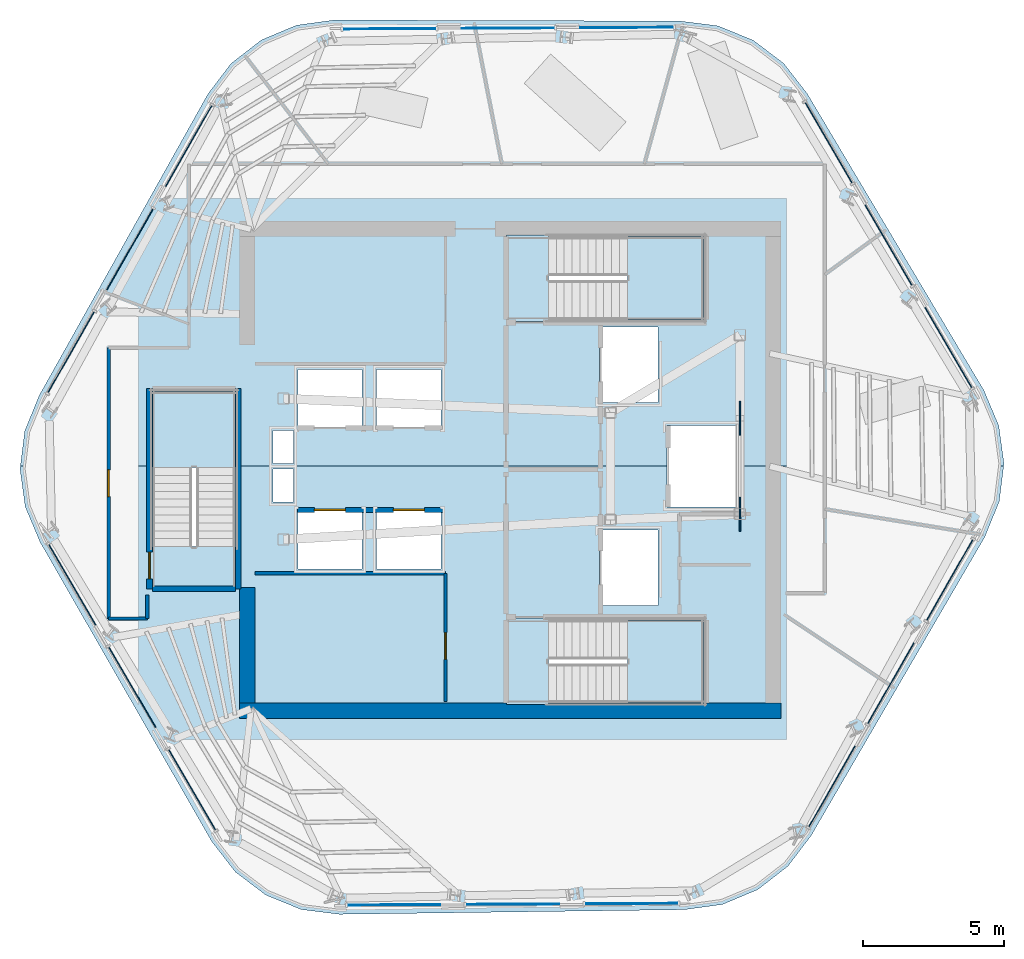
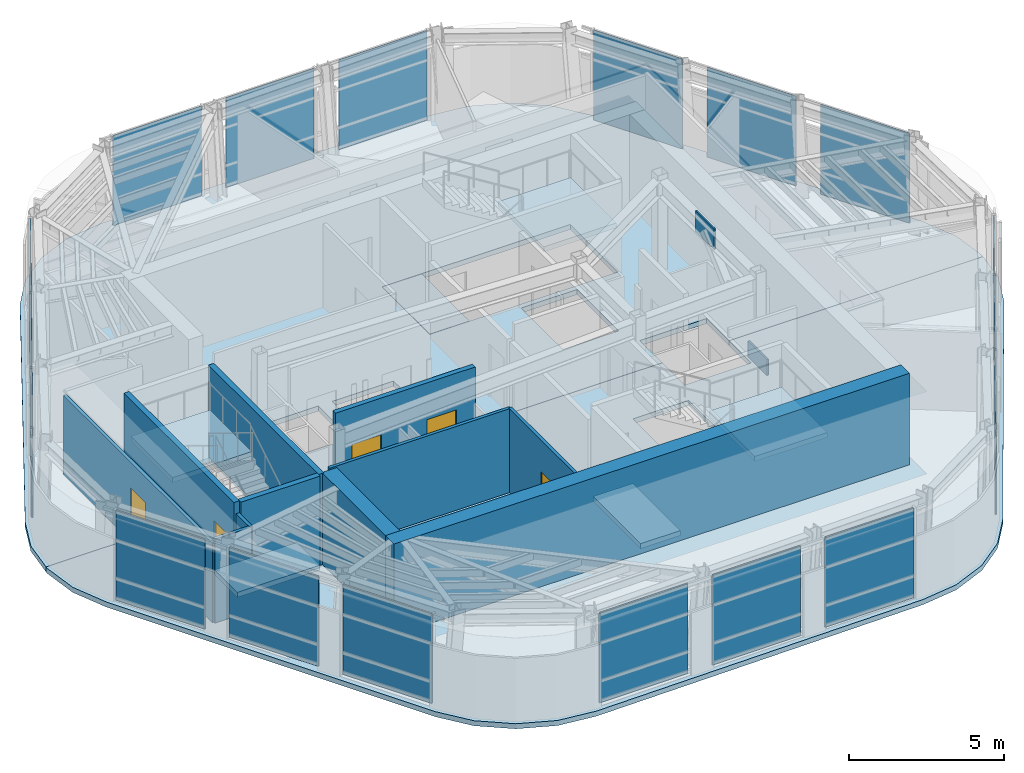
# One storey, part 6 of 13: 20 plates, 11 walls, 8 slabs, 5 doors, 5 openings, 9 elements without a shape of their own.
"""IFC4 building model written with IfcOpenShell, lengths in metres."""

import ifcopenshell
import ifcopenshell.guid

model = None  # the IFC model being written
_history = None  # IfcOwnerHistory: only IFC2X3 demands one
_inside = {}  # id of a spatial element -> (the spatial element, [elements in it])
_under = {}  # id of a project, library or spatial element -> (it, [spatial elements below it])
_declared = {}  # id of a project -> (the project, [libraries it declares])
_typed = {}  # id of a type object -> (the type object, [elements of that type])
_made_of = {}  # id of a material, layer set ... -> (it, [elements and type objects made of it])


def new_model(schema):
    """Start an empty IFC model of exactly this schema.

    Asked for "IFC4X3", IfcOpenShell would pick the latest addendum, in which some entities
    have other attributes; the version numbers below select the first issue.
    IFC2X3 requires an IfcOwnerHistory on every rooted entity: one is made here for all.
    """
    global model, _history
    if schema == "IFC4X3":
        model = ifcopenshell.file(schema_version=(4, 3, 0, 0))
    else:
        model = ifcopenshell.file(schema=schema)
    _inside.clear()
    _under.clear()
    _declared.clear()
    _typed.clear()
    _made_of.clear()
    _history = None
    if model.schema == "IFC2X3":
        org = make("IfcOrganization", Name="unknown")
        user = make(
            "IfcPersonAndOrganization",
            ThePerson=make("IfcPerson", FamilyName="unknown"),
            TheOrganization=org,
        )
        app = make(
            "IfcApplication",
            ApplicationDeveloper=org,
            Version="unknown",
            ApplicationFullName="unknown",
            ApplicationIdentifier="unknown",
        )
        _history = make(
            "IfcOwnerHistory",
            OwningUser=user,
            OwningApplication=app,
            ChangeAction="ADDED",
            CreationDate=0,
        )
    return model


def make(cls, **values):
    """One entity of the class cls with the attributes given. An attribute that is None is left unset."""
    return model.create_entity(
        cls, **{name: value for name, value in values.items() if value is not None}
    )


def rooted(cls, **values):
    """An entity with a GlobalId (a new one), such as an element, a storey or a relation."""
    return make(cls, GlobalId=ifcopenshell.guid.new(), OwnerHistory=_history, **values)


def si_unit(unit_type, name, prefix=None):
    """IfcSIUnit, for example si_unit("LENGTHUNIT", "METRE", prefix="MILLI")."""
    return make("IfcSIUnit", UnitType=unit_type, Prefix=prefix, Name=name)


def assignment(units):
    """IfcUnitAssignment: the units of a project."""
    return None if units is None else make("IfcUnitAssignment", Units=units)


def point(xyz):
    """IfcCartesianPoint."""
    return None if xyz is None else make("IfcCartesianPoint", Coordinates=xyz)


def direction(xyz):
    """IfcDirection."""
    return None if xyz is None else make("IfcDirection", DirectionRatios=xyz)


def frame(location, z_axis=None, x_axis=None):
    """IfcAxis2Placement3D, a coordinate frame: its origin and axes. An axis left out is left unset."""
    return make(
        "IfcAxis2Placement3D",
        Location=point(location),
        Axis=direction(z_axis),
        RefDirection=direction(x_axis),
    )


def frame_2d(location, x_axis=None):
    """IfcAxis2Placement2D, a coordinate frame in the plane: its origin and x axis."""
    return make(
        "IfcAxis2Placement2D", Location=point(location), RefDirection=direction(x_axis)
    )


def origin():
    """The frame at (0, 0, 0) with its axes left unset."""
    return frame((0.0, 0.0, 0.0))


def origin_2d():
    """The frame at (0, 0) in the plane with its x axis left unset."""
    return frame_2d((0.0, 0.0))


def place(relative_to, where):
    """IfcLocalPlacement: puts the frame where relative to a parent placement (None: the world)."""
    return make(
        "IfcLocalPlacement", PlacementRelTo=relative_to, RelativePlacement=where
    )


def context(
    kind, dimensions, precision=None, world=None, true_north=None, identifier=None
):
    """IfcGeometricRepresentationContext, for example the 3D "Model" context."""
    return make(
        "IfcGeometricRepresentationContext",
        ContextIdentifier=identifier,
        ContextType=kind,
        CoordinateSpaceDimension=dimensions,
        Precision=precision,
        WorldCoordinateSystem=world,
        TrueNorth=true_north,
    )


def subcontext(parent, identifier, kind, view, scale=None):
    """IfcGeometricRepresentationSubContext, for example "Body" below "Model"."""
    return make(
        "IfcGeometricRepresentationSubContext",
        ContextIdentifier=identifier,
        ContextType=kind,
        ParentContext=parent,
        TargetScale=scale,
        TargetView=view,
    )


def project(units=None, contexts=None):
    """IfcProject with its units and contexts."""
    return rooted(
        "IfcProject",
        Name="project",
        RepresentationContexts=contexts,
        UnitsInContext=assignment(units),
    )


def spatial(cls, under=None, at=None, **own):
    """A site, building, storey or space (cls), placed at a placement, below another one or the project."""
    s = rooted(cls, ObjectPlacement=at, **own)
    if under is not None:
        _under.setdefault(under.id(), (under, []))[1].append(s)
    return s


def polyline(points):
    """IfcPolyline through the points."""
    return make("IfcPolyline", Points=[point(p) for p in points])


def profile(cls, at=None, kind="AREA", **sizes):
    """A parametric profile (cls). Its sizes go by their IFC names, for example OverallWidth=200.0."""
    return make(cls, ProfileType=kind, Position=at, **sizes)


def rectangle(**sizes):
    """IfcRectangleProfileDef."""
    return profile("IfcRectangleProfileDef", **sizes)


def outline(outer, holes=None, kind="AREA"):
    """IfcArbitraryClosedProfileDef: a profile drawn as a closed curve; with holes, ...WithVoids."""
    if holes is None:
        return make("IfcArbitraryClosedProfileDef", ProfileType=kind, OuterCurve=outer)
    return make(
        "IfcArbitraryProfileDefWithVoids",
        ProfileType=kind,
        OuterCurve=outer,
        InnerCurves=holes,
    )


def extrude(swept, where, along, depth):
    """IfcExtrudedAreaSolid: the profile swept, set in the frame where, extruded along a direction by depth."""
    return make(
        "IfcExtrudedAreaSolid",
        SweptArea=swept,
        Position=where,
        ExtrudedDirection=direction(along),
        Depth=depth,
    )


def shape(context_of_items, identifier, shape_type, items):
    """IfcShapeRepresentation: the items that make up one representation, for example the "Body"."""
    return make(
        "IfcShapeRepresentation",
        ContextOfItems=context_of_items,
        RepresentationIdentifier=identifier,
        RepresentationType=shape_type,
        Items=items,
    )


def material(Name=None, Category=None):
    """IfcMaterial."""
    return make("IfcMaterial", Name=Name, Category=Category)


def layer(
    of_material, thickness, ventilated=None, Name=None, Category=None, Priority=None
):
    """IfcMaterialLayer: one layer of a wall or slab, of a material (None: an air gap)."""
    return make(
        "IfcMaterialLayer",
        Material=of_material,
        LayerThickness=thickness,
        IsVentilated=ventilated,
        Name=Name,
        Category=Category,
        Priority=Priority,
    )


def layer_set(layers, Name=None):
    """IfcMaterialLayerSet."""
    return make("IfcMaterialLayerSet", MaterialLayers=layers, LayerSetName=Name)


def made_of(thing, what):
    """Note that an element or type object is made of a material, layer set ...; save() writes the relation."""
    if what is not None:
        _made_of.setdefault(what.id(), (what, []))[1].append(thing)
    return thing


def type_object(cls, material=None, **own):
    """A type object (cls), such as IfcWallType, which elements share."""
    return made_of(rooted(cls, **own), material)


def element(
    cls,
    number,
    at=None,
    inside=None,
    cuts=None,
    type_object=None,
    material=None,
    context=None,
    identifier="Body",
    shape_type=None,
    held_by="IfcProductDefinitionShape",
    body=None,
    shapes=None,
    **own,
):
    """One element of the class cls, such as IfcWall. Its Tag is "e" and its number.

    at: its placement. inside: the storey or other place that contains it. cuts: it is an
    opening in that element (IfcRelVoidsElement). A single representation is given by context,
    identifier, shape_type and body (its items); several are given by shapes. held_by: the class
    of the entity that holds the representations. save() writes the other relations.
    """
    e = rooted(cls, Tag="e%d" % number, ObjectPlacement=at, **own)
    if body is not None:
        shapes = [shape(context, identifier, shape_type, body)]
    if shapes is not None:
        e.Representation = make(held_by, Representations=shapes)
    if inside is not None:
        _inside.setdefault(inside.id(), (inside, []))[1].append(e)
    if cuts is not None:
        rooted(
            "IfcRelVoidsElement", RelatingBuildingElement=cuts, RelatedOpeningElement=e
        )
    if type_object is not None:
        _typed.setdefault(type_object.id(), (type_object, []))[1].append(e)
    return made_of(e, material)


def fill(opening, filler):
    """IfcRelFillsElement: the door or window that sits in an opening."""
    return rooted(
        "IfcRelFillsElement",
        RelatingOpeningElement=opening,
        RelatedBuildingElement=filler,
    )


def aggregate(whole, parts):
    """IfcRelAggregates: a whole, such as a stair, and the parts it consists of."""
    return rooted("IfcRelAggregates", RelatingObject=whole, RelatedObjects=parts)


def save(model, path):
    """Write the relations noted so far, then the file.

    IfcRelAggregates (storeys below a building ...), IfcRelContainedInSpatialStructure (elements
    in a storey), IfcRelDefinesByType, IfcRelAssociatesMaterial and IfcRelDeclares: one each for
    every whole, place, type object, material and project.
    """
    for whole, parts in _under.values():
        aggregate(whole, parts)
    for where, things in _inside.values():
        rooted(
            "IfcRelContainedInSpatialStructure",
            RelatedElements=things,
            RelatingStructure=where,
        )
    for kind, things in _typed.values():
        rooted("IfcRelDefinesByType", RelatedObjects=things, RelatingType=kind)
    for what, things in _made_of.values():
        rooted("IfcRelAssociatesMaterial", RelatedObjects=things, RelatingMaterial=what)
    for by, libraries in _declared.values():
        rooted("IfcRelDeclares", RelatingContext=by, RelatedDefinitions=libraries)
    model.write(path)


model = new_model("IFC4")

# Units and contexts
model_context = context("Model", 3, precision=1e-05, world=origin(), true_north=direction((0.0, 1.0)))
body_context = subcontext(model_context, "Body", "Model", "MODEL_VIEW")
ifc_project = project(units=[si_unit("LENGTHUNIT", "METRE"), si_unit("AREAUNIT", "SQUARE_METRE"), si_unit("VOLUMEUNIT", "CUBIC_METRE"), si_unit("PLANEANGLEUNIT", "RADIAN"), si_unit("MASSUNIT", "GRAM", prefix="KILO")], contexts=[model_context])

# Site, building, storey
site_placement = place(None, origin())
site = spatial("IfcSite", under=ifc_project, at=site_placement, CompositionType="ELEMENT")
building_placement = place(site_placement, origin())
building = spatial("IfcBuilding", under=site, at=building_placement, Name="Valkerne Bourse Tower", CompositionType="ELEMENT")
storey_placement = place(building_placement, frame((0.0, 0.0, 285.0)))
storey = spatial("IfcBuildingStorey", under=building, at=storey_placement, Name="L72", CompositionType="ELEMENT", Elevation=285.0)

# Curtain wall, plates
ifc_material_1 = material(Name="Aluminium AA 6063-T6", Category="aluminium")
ifc_layer_1 = layer(ifc_material_1, 0.2451171875)
ifc_layer_set_1 = layer_set([ifc_layer_1], Name="Aluminium AA 6063-T6")
curtain_wall_type = type_object("IfcCurtainWallType", Name="CW-05", PredefinedType="NOTDEFINED", material=ifc_layer_set_1)
curtain_wall_1_placement = place(storey_placement, origin())
curtain_wall_1 = element("IfcCurtainWall", 1, at=curtain_wall_1_placement, inside=storey, type_object=curtain_wall_type, Name="L72 Hexagonal Stick Curtain Wall Face 1", PredefinedType="NOTDEFINED")
ifc_material_2 = material(Name="Glass IGU Low-E Double Glazed", Category="glass")
ifc_layer_2 = layer(ifc_material_2, 0.031982421875)
ifc_layer_set_2 = layer_set([ifc_layer_2], Name="Glass IGU Low-E Double Glazed")
plate_type_1 = type_object("IfcPlateType", Name="CW-PNL-IGU-32", PredefinedType="CURTAIN_PANEL", material=ifc_layer_set_2)
plate_1_placement = place(storey_placement, frame((50.930419921875, 42.560546875, 0.030029296875), z_axis=(0.0, 0.0, 1.0), x_axis=(-0.999986358869, -0.005223224655, 0.0)))
plate_1 = element("IfcPlate", 2, at=plate_1_placement, type_object=plate_type_1, Name="CW-L72-F1 Curtain Panel 00", PredefinedType="CURTAIN_PANEL", context=body_context, shape_type="SweptSolid", body=[
    extrude(rectangle(XDim=3.2919921875, YDim=0.031982421875, at=origin_2d()), origin(), (0.0, 0.0, 1.0), 3.5400390625),
])
plate_2_placement = place(storey_placement, frame((46.718505859375, 42.53857421875, 0.030029296875), z_axis=(0.0, 0.0, 1.0), x_axis=(-0.999986235233, -0.005246841359, 0.0)))
plate_2 = element("IfcPlate", 3, at=plate_2_placement, type_object=plate_type_1, Name="CW-L72-F1 Curtain Panel 01", PredefinedType="CURTAIN_PANEL", context=body_context, shape_type="SweptSolid", body=[
    extrude(rectangle(XDim=3.2919921875, YDim=0.031982421875, at=origin_2d()), origin(), (0.0, 0.0, 1.0), 3.5400390625),
])
plate_3_placement = place(storey_placement, frame((42.506591796875, 42.5166015625, 0.030029296875), z_axis=(0.0, 0.0, 1.0), x_axis=(-0.999986358869, -0.005223224655, 0.0)))
plate_3 = element("IfcPlate", 4, at=plate_3_placement, type_object=plate_type_1, Name="CW-L72-F1 Curtain Panel 02", PredefinedType="CURTAIN_PANEL", context=body_context, shape_type="SweptSolid", body=[
    extrude(rectangle(XDim=3.2919921875, YDim=0.031982421875, at=origin_2d()), origin(), (0.0, 0.0, 1.0), 3.5400390625),
])
aggregate(curtain_wall_1, [plate_1, plate_2, plate_3])

curtain_wall_2_placement = place(storey_placement, origin())
curtain_wall_2 = element("IfcCurtainWall", 5, at=curtain_wall_2_placement, inside=storey, type_object=curtain_wall_type, Name="L72 Hexagonal Stick Curtain Wall Face 2", PredefinedType="NOTDEFINED")
plate_4_placement = place(storey_placement, frame((35.389404296875, 38.357421875, 0.030029296875), z_axis=(0.0, 0.0, 1.0), x_axis=(-0.495461241573, -0.86863004674, 0.0)))
plate_4 = element("IfcPlate", 6, at=plate_4_placement, type_object=plate_type_1, Name="CW-L72-F2 Curtain Panel 00", PredefinedType="CURTAIN_PANEL", context=body_context, shape_type="SweptSolid", body=[
    extrude(rectangle(XDim=3.2919921875, YDim=0.031982421875, at=origin_2d()), origin(), (0.0, 0.0, 1.0), 3.5400390625),
])
plate_5_placement = place(storey_placement, frame((33.302490234375, 34.69873046875, 0.030029296875), z_axis=(0.0, 0.0, 1.0), x_axis=(-0.495443327875, -0.868640264358, 0.0)))
plate_5 = element("IfcPlate", 7, at=plate_5_placement, type_object=plate_type_1, Name="CW-L72-F2 Curtain Panel 01", PredefinedType="CURTAIN_PANEL", context=body_context, shape_type="SweptSolid", body=[
    extrude(rectangle(XDim=3.2919921875, YDim=0.031982421875, at=origin_2d()), origin(), (0.0, 0.0, 1.0), 3.5400390625),
])
plate_6_placement = place(storey_placement, frame((31.2158203125, 31.0400390625, 0.030029296875), z_axis=(0.0, 0.0, 1.0), x_axis=(-0.495461241573, -0.86863004674, 0.0)))
plate_6 = element("IfcPlate", 8, at=plate_6_placement, type_object=plate_type_1, Name="CW-L72-F2 Curtain Panel 02", PredefinedType="CURTAIN_PANEL", context=body_context, shape_type="SweptSolid", body=[
    extrude(rectangle(XDim=3.2919921875, YDim=0.031982421875, at=origin_2d()), origin(), (0.0, 0.0, 1.0), 3.5400390625),
])
aggregate(curtain_wall_2, [plate_4, plate_5, plate_6])

curtain_wall_3_placement = place(storey_placement, origin())
curtain_wall_3 = element("IfcCurtainWall", 9, at=curtain_wall_3_placement, inside=storey, type_object=curtain_wall_type, Name="L72 Hexagonal Stick Curtain Wall Face 3", PredefinedType="NOTDEFINED")
plate_7_placement = place(storey_placement, frame((31.2587890625, 22.796875, 0.030029296875), z_axis=(0.0, 0.0, 1.0), x_axis=(0.504517454009, -0.863401493281, 0.0)))
plate_7 = element("IfcPlate", 10, at=plate_7_placement, type_object=plate_type_1, Name="CW-L72-F3 Curtain Panel 00", PredefinedType="CURTAIN_PANEL", context=body_context, shape_type="SweptSolid", body=[
    extrude(rectangle(XDim=3.2919921875, YDim=0.031982421875, at=origin_2d()), origin(), (0.0, 0.0, 1.0), 3.5400390625),
])
plate_8_placement = place(storey_placement, frame((33.3837890625, 19.16015625, 0.030029296875), z_axis=(0.0, 0.0, 1.0), x_axis=(0.504535152451, -0.863391151183, 0.0)))
plate_8 = element("IfcPlate", 11, at=plate_8_placement, type_object=plate_type_1, Name="CW-L72-F3 Curtain Panel 01", PredefinedType="CURTAIN_PANEL", context=body_context, shape_type="SweptSolid", body=[
    extrude(rectangle(XDim=3.2919921875, YDim=0.031982421875, at=origin_2d()), origin(), (0.0, 0.0, 1.0), 3.5400390625),
])
plate_9_placement = place(storey_placement, frame((35.509033203125, 15.523681640625, 0.030029296875), z_axis=(0.0, 0.0, 1.0), x_axis=(0.504535152451, -0.863391151183, 0.0)))
plate_9 = element("IfcPlate", 12, at=plate_9_placement, type_object=plate_type_1, Name="CW-L72-F3 Curtain Panel 02", PredefinedType="CURTAIN_PANEL", context=body_context, shape_type="SweptSolid", body=[
    extrude(rectangle(XDim=3.2919921875, YDim=0.031982421875, at=origin_2d()), origin(), (0.0, 0.0, 1.0), 3.5400390625),
])
aggregate(curtain_wall_3, [plate_7, plate_8, plate_9])

curtain_wall_4_placement = place(storey_placement, origin())
curtain_wall_4 = element("IfcCurtainWall", 13, at=curtain_wall_4_placement, inside=storey, type_object=curtain_wall_type, Name="L72 Hexagonal Stick Curtain Wall Face 4", PredefinedType="NOTDEFINED")
plate_10_placement = place(storey_placement, frame((42.66943359375, 11.439453125, 0.030029296875), z_axis=(0.0, 0.0, 1.0), x_axis=(0.999986358869, 0.005223224655, 0.0)))
plate_10 = element("IfcPlate", 14, at=plate_10_placement, type_object=plate_type_1, Name="CW-L72-F4 Curtain Panel 00", PredefinedType="CURTAIN_PANEL", context=body_context, shape_type="SweptSolid", body=[
    extrude(rectangle(XDim=3.2919921875, YDim=0.031982421875, at=origin_2d()), origin(), (0.0, 0.0, 1.0), 3.5400390625),
])
plate_11_placement = place(storey_placement, frame((46.88134765625, 11.46142578125, 0.030029296875), z_axis=(0.0, 0.0, 1.0), x_axis=(0.999986235233, 0.005246841359, 0.0)))
plate_11 = element("IfcPlate", 15, at=plate_11_placement, type_object=plate_type_1, Name="CW-L72-F4 Curtain Panel 01", PredefinedType="CURTAIN_PANEL", context=body_context, shape_type="SweptSolid", body=[
    extrude(rectangle(XDim=3.2919921875, YDim=0.031982421875, at=origin_2d()), origin(), (0.0, 0.0, 1.0), 3.5400390625),
])
plate_12_placement = place(storey_placement, frame((51.093505859375, 11.4833984375, 0.030029296875), z_axis=(0.0, 0.0, 1.0), x_axis=(0.999986358869, 0.005223224655, 0.0)))
plate_12 = element("IfcPlate", 16, at=plate_12_placement, type_object=plate_type_1, Name="CW-L72-F4 Curtain Panel 02", PredefinedType="CURTAIN_PANEL", context=body_context, shape_type="SweptSolid", body=[
    extrude(rectangle(XDim=3.2919921875, YDim=0.031982421875, at=origin_2d()), origin(), (0.0, 0.0, 1.0), 3.5400390625),
])
aggregate(curtain_wall_4, [plate_10, plate_11, plate_12])

curtain_wall_5_placement = place(storey_placement, origin())
curtain_wall_5 = element("IfcCurtainWall", 17, at=curtain_wall_5_placement, inside=storey, type_object=curtain_wall_type, Name="L72 Hexagonal Stick Curtain Wall Face 5", PredefinedType="NOTDEFINED")
plate_13_placement = place(storey_placement, frame((58.21044921875, 15.642578125, 0.030029296875), z_axis=(0.0, 0.0, 1.0), x_axis=(0.495461241573, 0.86863004674, 0.0)))
plate_13 = element("IfcPlate", 18, at=plate_13_placement, type_object=plate_type_1, Name="CW-L72-F5 Curtain Panel 00", PredefinedType="CURTAIN_PANEL", context=body_context, shape_type="SweptSolid", body=[
    extrude(rectangle(XDim=3.2919921875, YDim=0.031982421875, at=origin_2d()), origin(), (0.0, 0.0, 1.0), 3.5400390625),
])
plate_14_placement = place(storey_placement, frame((60.29736328125, 19.30126953125, 0.030029296875), z_axis=(0.0, 0.0, 1.0), x_axis=(0.495443327875, 0.868640264358, 0.0)))
plate_14 = element("IfcPlate", 19, at=plate_14_placement, type_object=plate_type_1, Name="CW-L72-F5 Curtain Panel 01", PredefinedType="CURTAIN_PANEL", context=body_context, shape_type="SweptSolid", body=[
    extrude(rectangle(XDim=3.2919921875, YDim=0.031982421875, at=origin_2d()), origin(), (0.0, 0.0, 1.0), 3.5400390625),
])
plate_15_placement = place(storey_placement, frame((62.38427734375, 22.9599609375, 0.030029296875), z_axis=(0.0, 0.0, 1.0), x_axis=(0.495461241573, 0.86863004674, 0.0)))
plate_15 = element("IfcPlate", 20, at=plate_15_placement, type_object=plate_type_1, Name="CW-L72-F5 Curtain Panel 02", PredefinedType="CURTAIN_PANEL", context=body_context, shape_type="SweptSolid", body=[
    extrude(rectangle(XDim=3.2919921875, YDim=0.031982421875, at=origin_2d()), origin(), (0.0, 0.0, 1.0), 3.5400390625),
])
aggregate(curtain_wall_5, [plate_13, plate_14, plate_15])

curtain_wall_6_placement = place(storey_placement, origin())
curtain_wall_6 = element("IfcCurtainWall", 21, at=curtain_wall_6_placement, inside=storey, type_object=curtain_wall_type, Name="L72 Hexagonal Stick Curtain Wall Face 6", PredefinedType="NOTDEFINED")
plate_16_placement = place(storey_placement, frame((62.34130859375, 31.203125, 0.030029296875), z_axis=(0.0, 0.0, 1.0), x_axis=(-0.504517454009, 0.863401493281, 0.0)))
plate_16 = element("IfcPlate", 22, at=plate_16_placement, type_object=plate_type_1, Name="CW-L72-F6 Curtain Panel 00", PredefinedType="CURTAIN_PANEL", context=body_context, shape_type="SweptSolid", body=[
    extrude(rectangle(XDim=3.2919921875, YDim=0.031982421875, at=origin_2d()), origin(), (0.0, 0.0, 1.0), 3.5400390625),
])
plate_17_placement = place(storey_placement, frame((60.216064453125, 34.839599609375, 0.030029296875), z_axis=(0.0, 0.0, 1.0), x_axis=(-0.504535152451, 0.863391151183, 0.0)))
plate_17 = element("IfcPlate", 23, at=plate_17_placement, type_object=plate_type_1, Name="CW-L72-F6 Curtain Panel 01", PredefinedType="CURTAIN_PANEL", context=body_context, shape_type="SweptSolid", body=[
    extrude(rectangle(XDim=3.2919921875, YDim=0.031982421875, at=origin_2d()), origin(), (0.0, 0.0, 1.0), 3.5400390625),
])
plate_18_placement = place(storey_placement, frame((58.091064453125, 38.476318359375, 0.030029296875), z_axis=(0.0, 0.0, 1.0), x_axis=(-0.504535152451, 0.863391151183, 0.0)))
plate_18 = element("IfcPlate", 24, at=plate_18_placement, type_object=plate_type_1, Name="CW-L72-F6 Curtain Panel 02", PredefinedType="CURTAIN_PANEL", context=body_context, shape_type="SweptSolid", body=[
    extrude(rectangle(XDim=3.2919921875, YDim=0.031982421875, at=origin_2d()), origin(), (0.0, 0.0, 1.0), 3.5400390625),
])
aggregate(curtain_wall_6, [plate_16, plate_17, plate_18])

# Plates
ifc_material_3 = material(Name="Steel ASTM A572 Grade 50", Category="steel")
ifc_layer_3 = layer(ifc_material_3, 0.06005859375)
ifc_layer_set_3 = layer_set([ifc_layer_3], Name="Steel ASTM A572 Grade 50")
plate_type_2 = type_object("IfcPlateType", Name="PLT-GUS-60", PredefinedType="SHEET", material=ifc_layer_set_3)
for number, where, z_axis, x_axis, name in (
    (25, (54.949951171875, 25.300048828125, -0.18017578125), (0.0, 0.0, 1.0), (0.0, 1.0, 0.0), "L72 Brace Node Gusset Plate PLT-GUS-END-L72-460"),
    (26, (54.949951171875, 28.699951171875, 2.89404296875), (0.0, 0.0, 1.0), (0.0, 1.0, 0.0), "L72 Brace Node Gusset Plate PLT-GUS-END-L72-461"),
):
    element("IfcPlate", number, at=place(storey_placement, frame(where, z_axis=z_axis, x_axis=x_axis)), inside=storey, type_object=plate_type_2, Name=name, PredefinedType="SHEET", context=body_context, shape_type="SweptSolid", body=[
        extrude(rectangle(XDim=1.199951171875, YDim=0.06005859375, at=origin_2d()), origin(), (0.0, 0.0, 1.0), 0.800048828125),
    ])

# Slabs
ifc_material_4 = material(Name="Concrete C40/50", Category="concrete")
ifc_layer_4 = layer(ifc_material_4, 0.25)
ifc_layer_set_4 = layer_set([ifc_layer_4], Name="Concrete C40/50")
slab_type_1 = type_object("IfcSlabType", Name="SLB-RMP-LND-250", PredefinedType="LANDING", material=ifc_layer_set_4)
slab_1_placement = place(storey_placement, frame((0.0, 0.0, -0.199951171875)))
element("IfcSlab", 27, at=slab_1_placement, inside=storey, type_object=slab_type_1, Name="L72 ST-1 Floor Landing Slab", PredefinedType="LANDING", context=body_context, shape_type="SweptSolid", body=[
    extrude(outline(polyline([(46.669921875, 18.5400390625), (48.14990234375, 18.5400390625), (48.14990234375, 21.610107421875), (46.669921875, 21.610107421875), (46.669921875, 18.5400390625)])), origin(), (0.0, 0.0, 1.0), 0.199951171875),
])
slab_2_placement = place(storey_placement, frame((0.0, 0.0, -0.199951171875)))
element("IfcSlab", 28, at=slab_2_placement, inside=storey, type_object=slab_type_1, Name="L72 ST-2 Floor Landing Slab", PredefinedType="LANDING", context=body_context, shape_type="SweptSolid", body=[
    extrude(outline(polyline([(46.669921875, 32.139892578125), (48.14990234375, 32.139892578125), (48.14990234375, 35.2099609375), (46.669921875, 35.2099609375), (46.669921875, 32.139892578125)])), origin(), (0.0, 0.0, 1.0), 0.199951171875),
])
slab_3_placement = place(storey_placement, frame((0.0, 0.0, -0.199951171875)))
element("IfcSlab", 29, at=slab_3_placement, inside=storey, type_object=slab_type_1, Name="L72 ST-3 Floor Landing Slab", PredefinedType="LANDING", context=body_context, shape_type="SweptSolid", body=[
    extrude(outline(polyline([(37.110107421875, 22.669921875), (37.110107421875, 24.14990234375), (34.0400390625, 24.14990234375), (34.0400390625, 22.669921875), (37.110107421875, 22.669921875)])), origin(), (0.0, 0.0, 1.0), 0.199951171875),
])

# Stair, slab
stair_type = type_object("IfcStairType", Name="ST-CORE-1400", PredefinedType="HALF_TURN_STAIR", material=ifc_material_4)
stair_1_placement = place(storey_placement, origin())
stair_1 = element("IfcStair", 30, at=stair_1_placement, inside=storey, type_object=stair_type, Name="L72 ST-1", PredefinedType="HALF_TURN_STAIR")
ifc_layer_5 = layer(ifc_material_4, 0.179931640625)
ifc_layer_set_5 = layer_set([ifc_layer_5], Name="Concrete C40/50")
slab_type_2 = type_object("IfcSlabType", Name="SLB-ST-LND-180", PredefinedType="LANDING", material=ifc_layer_set_5)
slab_4_placement = place(storey_placement, frame((0.0, 0.0, 1.699951171875)))
slab_4 = element("IfcSlab", 31, at=slab_4_placement, type_object=slab_type_2, Name="ST-1 landing 1", PredefinedType="LANDING", context=body_context, shape_type="SweptSolid", body=[
    extrude(outline(polyline([(50.949951171875, 18.60009765625), (53.64990234375, 18.60009765625), (53.64990234375, 21.550048828125), (50.949951171875, 21.550048828125), (50.949951171875, 18.60009765625)])), origin(), (0.0, 0.0, 1.0), 0.199951171875),
])
aggregate(stair_1, [slab_4])

stair_2_placement = place(storey_placement, origin())
stair_2 = element("IfcStair", 32, at=stair_2_placement, inside=storey, type_object=stair_type, Name="L72 ST-2", PredefinedType="HALF_TURN_STAIR")
slab_5_placement = place(storey_placement, frame((0.0, 0.0, 1.699951171875)))
slab_5 = element("IfcSlab", 33, at=slab_5_placement, type_object=slab_type_2, Name="ST-2 landing 1", PredefinedType="LANDING", context=body_context, shape_type="SweptSolid", body=[
    extrude(outline(polyline([(50.949951171875, 32.199951171875), (53.64990234375, 32.199951171875), (53.64990234375, 35.14990234375), (50.949951171875, 35.14990234375), (50.949951171875, 32.199951171875)])), origin(), (0.0, 0.0, 1.0), 0.199951171875),
])
aggregate(stair_2, [slab_5])

stair_3_placement = place(storey_placement, origin())
stair_3 = element("IfcStair", 34, at=stair_3_placement, inside=storey, type_object=stair_type, Name="L72 ST-3", PredefinedType="HALF_TURN_STAIR")
slab_6_placement = place(storey_placement, frame((0.0, 0.0, 1.699951171875)))
slab_6 = element("IfcSlab", 35, at=slab_6_placement, type_object=slab_type_2, Name="ST-3 landing 1", PredefinedType="LANDING", context=body_context, shape_type="SweptSolid", body=[
    extrude(outline(polyline([(37.050048828125, 26.949951171875), (37.050048828125, 29.64990234375), (34.10009765625, 29.64990234375), (34.10009765625, 26.949951171875), (37.050048828125, 26.949951171875)])), origin(), (0.0, 0.0, 1.0), 0.199951171875),
])
aggregate(stair_3, [slab_6])

# Slabs
ifc_layer_6 = layer(ifc_material_4, 0.199951171875)
ifc_layer_set_6 = layer_set([ifc_layer_6], Name="Concrete C40/50")
slab_type_3 = type_object("IfcSlabType", Name="SLB-TOW-200", PredefinedType="FLOOR", material=ifc_layer_set_6)
slab_7_placement = place(storey_placement, frame((0.0, 0.0, -0.199951171875)))
element("IfcSlab", 36, at=slab_7_placement, inside=storey, type_object=slab_type_3, Name="L72 Hexagonal Composite Floor Slab S", PredefinedType="FLOOR", context=body_context, shape_type="SweptSolid", body=[
    extrude(outline(polyline([(64.141845703125, 25.744873046875), (63.62890625, 24.488037109375), (57.469970703125, 13.89404296875), (56.649169921875, 12.812744140625), (55.576416015625, 11.980712890625), (54.3251953125, 11.45458984375), (52.980224609375, 11.2705078125), (40.72705078125, 11.105224609375), (39.380126953125, 11.275390625), (38.123291015625, 11.788330078125), (37.0419921875, 12.60888671875), (36.210205078125, 13.681640625), (30.114990234375, 24.3125), (29.5888671875, 25.56396484375), (29.40478515625, 26.908935546875), (29.416259765625, 27.0), (34.034912109375, 27.0), (34.034912109375, 22.6650390625), (37.114990234375, 22.6650390625), (37.114990234375, 27.0), (52.360107421875, 27.0), (52.360107421875, 25.56005859375), (54.840087890625, 25.56005859375), (54.840087890625, 27.0), (64.30029296875, 27.0), (64.141845703125, 25.744873046875)]), holes=[polyline([(39.260009765625, 25.43994140625), (39.260009765625, 23.360107421875), (41.5400390625, 23.360107421875), (41.5400390625, 25.43994140625), (39.260009765625, 25.43994140625)]), polyline([(44.340087890625, 25.43994140625), (42.06005859375, 25.43994140625), (42.06005859375, 23.360107421875), (44.340087890625, 23.360107421875), (44.340087890625, 25.43994140625)]), polyline([(38.3798828125, 26.89990234375), (38.3798828125, 25.72998046875), (39.10009765625, 25.72998046875), (39.10009765625, 26.89990234375), (38.3798828125, 26.89990234375)]), polyline([(46.6650390625, 21.614990234375), (46.6650390625, 18.534912109375), (53.675048828125, 18.534912109375), (53.675048828125, 21.614990234375), (46.6650390625, 21.614990234375)]), polyline([(52.0400390625, 24.739990234375), (49.9599609375, 24.739990234375), (49.9599609375, 22.06005859375), (52.0400390625, 22.06005859375), (52.0400390625, 24.739990234375)])]), origin(), (0.0, 0.0, 1.0), 0.199951171875),
])
slab_8_placement = place(storey_placement, frame((0.0, 0.0, -0.199951171875)))
element("IfcSlab", 37, at=slab_8_placement, inside=storey, type_object=slab_type_3, Name="L72 Hexagonal Composite Floor Slab N", PredefinedType="FLOOR", context=body_context, shape_type="SweptSolid", body=[
    extrude(outline(polyline([(64.127685546875, 28.4365234375), (64.31201171875, 27.091796875), (64.30029296875, 27.0), (54.840087890625, 27.0), (54.840087890625, 28.43994140625), (52.360107421875, 28.43994140625), (52.360107421875, 27.0), (37.114990234375, 27.0), (37.114990234375, 29.675048828125), (34.034912109375, 29.675048828125), (34.034912109375, 27.0), (29.416259765625, 27.0), (29.57470703125, 28.255615234375), (30.087646484375, 29.512451171875), (36.0712890625, 40.206787109375), (36.89208984375, 41.2880859375), (37.964599609375, 42.1201171875), (39.216064453125, 42.64599609375), (40.560791015625, 42.830322265625), (52.815185546875, 42.79345703125), (54.161865234375, 42.623291015625), (55.418701171875, 42.1103515625), (56.5, 41.28955078125), (57.33203125, 40.217041015625), (63.601806640625, 29.68798828125), (64.127685546875, 28.4365234375)]), holes=[polyline([(39.10009765625, 28.27001953125), (38.3798828125, 28.27001953125), (38.3798828125, 27.10009765625), (39.10009765625, 27.10009765625), (39.10009765625, 28.27001953125)]), polyline([(41.5400390625, 30.43994140625), (39.260009765625, 30.43994140625), (39.260009765625, 28.360107421875), (41.5400390625, 28.360107421875), (41.5400390625, 30.43994140625)]), polyline([(42.06005859375, 30.43994140625), (42.06005859375, 28.360107421875), (44.340087890625, 28.360107421875), (44.340087890625, 30.43994140625), (42.06005859375, 30.43994140625)]), polyline([(52.0400390625, 31.93994140625), (49.9599609375, 31.93994140625), (49.9599609375, 29.260009765625), (52.0400390625, 29.260009765625), (52.0400390625, 31.93994140625)]), polyline([(53.675048828125, 35.215087890625), (46.6650390625, 35.215087890625), (46.6650390625, 32.135009765625), (53.675048828125, 32.135009765625), (53.675048828125, 35.215087890625)])]), origin(), (0.0, 0.0, 1.0), 0.199951171875),
])

# Walls
ifc_material_5 = material(Name="Concrete C55/67", Category="concrete")
ifc_layer_7 = layer(ifc_material_5, 0.550048828125)
ifc_layer_set_7 = layer_set([ifc_layer_7], Name="Concrete C55/67")
wall_type_1 = type_object("IfcWallType", Name="W-CORE-550", PredefinedType="SHEAR", material=ifc_layer_set_7)
wall_1_placement = place(storey_placement, frame((37.199951171875, 18.324951171875, 0.0), z_axis=(0.0, 0.0, 1.0), x_axis=(1.0, 0.0, 0.0)))
element("IfcWall", 38, at=wall_1_placement, inside=storey, type_object=wall_type_1, Name="L72 Core Shear Wall SOUTH", PredefinedType="SHEAR", context=body_context, shape_type="SweptSolid", body=[
    extrude(rectangle(XDim=19.199951171875, YDim=0.550048828125, at=frame_2d((9.60009765625, 0.0))), origin(), (0.0, 0.0, 1.0), 3.60009765625),
])
wall_2_placement = place(storey_placement, frame((37.47509765625, 18.60009765625, 0.0), z_axis=(0.0, 0.0, 1.0), x_axis=(0.0, 1.0, 0.0)))
element("IfcWall", 39, at=wall_2_placement, inside=storey, type_object=wall_type_1, Name="L72 Core Shear Wall WEST-S", PredefinedType="SHEAR", context=body_context, shape_type="SweptSolid", body=[
    extrude(rectangle(XDim=4.099853515625, YDim=0.550048828125, at=frame_2d((2.0498046875, 0.0))), origin(), (0.0, 0.0, 1.0), 3.60009765625),
])

# Wall, opening, door
ifc_material_6 = material(Name="Gypsum Board Steel-Stud Partition", Category="steel")
ifc_layer_8 = layer(ifc_material_6, 0.117919921875)
ifc_layer_set_8 = layer_set([ifc_layer_8], Name="Gypsum Board Steel-Stud Partition")
wall_type_2 = type_object("IfcWallType", Name="W-CORR-140", PredefinedType="PARTITIONING", material=ifc_layer_set_8)
wall_3_placement = place(storey_placement, frame((44.5, 18.64990234375, 0.0), z_axis=(0.0, 0.0, 1.0), x_axis=(0.0, 1.0, 0.0)))
wall_3 = element("IfcWall", 40, at=wall_3_placement, inside=storey, type_object=wall_type_2, Name="L72 LV7 Low-Bank East Wall", PredefinedType="PARTITIONING", context=body_context, shape_type="SweptSolid", body=[
    extrude(rectangle(XDim=4.550048828125, YDim=0.117919921875, at=frame_2d((2.27490234375, 0.0))), origin(), (0.0, 0.0, 1.0), 3.300048828125),
])
opening_1_placement = place(wall_3_placement, frame((1.5, 0.0, 0.0)))
opening_1 = element("IfcOpeningElement", 41, at=opening_1_placement, cuts=wall_3, Name="Opening D-SV-950", PredefinedType="OPENING", context=body_context, shape_type="SweptSolid", body=[
    extrude(rectangle(XDim=0.949951171875, YDim=2.050048828125, at=frame_2d((0.47509765625, 1.02490234375))), frame((0.0, 0.06884765625, 0.0), z_axis=(0.0, -1.0, 0.0), x_axis=(1.0, 0.0, 0.0)), (0.0, 0.0, 1.0), 0.137939453125),
])
ifc_material_7 = material(Name="Galvanised Painted Steel", Category="steel")
door_type_1 = type_object("IfcDoorType", Name="DR-SRV-950", OperationType="NOTDEFINED", PredefinedType="DOOR", material=ifc_material_7)
door_1_placement = place(opening_1_placement, origin())
door_1 = element("IfcDoor", 42, at=door_1_placement, inside=storey, type_object=door_type_1, Name="L72 Algorithmic Matching Office Door", OperationType="SINGLE_SWING_LEFT", OverallHeight=2.050048828125, OverallWidth=0.949951171875, PredefinedType="DOOR", context=body_context, shape_type="SweptSolid", body=[
    extrude(rectangle(XDim=0.949951171875, YDim=2.050048828125, at=frame_2d((0.47509765625, 1.02490234375))), frame((0.0, 0.02490234375, 0.0), z_axis=(0.0, -1.0, 0.0), x_axis=(1.0, 0.0, 0.0)), (0.0, 0.0, 1.0), 0.050048828125),
])
fill(opening_1, door_1)

# Walls
wall_4_placement = place(storey_placement, frame((37.75, 23.199951171875, 0.0), z_axis=(0.0, 0.0, 1.0), x_axis=(1.0, 0.0, 0.0)))
element("IfcWall", 43, at=wall_4_placement, inside=storey, type_object=wall_type_2, Name="L72 LV7 Low-Bank North Wall", PredefinedType="PARTITIONING", context=body_context, shape_type="SweptSolid", body=[
    extrude(rectangle(XDim=6.75, YDim=0.117919921875, at=frame_2d((3.375, 0.0))), origin(), (0.0, 0.0, 1.0), 3.300048828125),
])
wall_5_placement = place(storey_placement, frame((33.91796875, 22.43994140625, 0.0), z_axis=(0.0, 0.0, 1.0), x_axis=(0.002325575107, -0.999997295847, 0.0)))
element("IfcWall", 44, at=wall_5_placement, inside=storey, type_object=wall_type_2, Name="L72 Corridor Enclosure Wall", PredefinedType="PARTITIONING", context=body_context, shape_type="SweptSolid", body=[
    extrude(rectangle(XDim=0.83984375, YDim=0.117919921875, at=frame_2d((0.419921875, 0.0))), origin(), (0.0, 0.0, 1.0), 3.300048828125),
])
wall_6_placement = place(storey_placement, frame((33.919921875, 21.60009765625, 0.0), z_axis=(0.0, 0.0, 1.0), x_axis=(-1.0, 0.0, 0.0)))
element("IfcWall", 45, at=wall_6_placement, inside=storey, type_object=wall_type_2, Name="L72 Corridor Enclosure Wall", PredefinedType="PARTITIONING", context=body_context, shape_type="SweptSolid", body=[
    extrude(rectangle(XDim=1.369873046875, YDim=0.117919921875, at=frame_2d((0.68505859375, 0.0))), origin(), (0.0, 0.0, 1.0), 3.300048828125),
])

# Wall, opening, door
wall_7_placement = place(storey_placement, frame((32.550048828125, 21.60009765625, 0.0), z_axis=(0.0, 0.0, 1.0), x_axis=(0.0, 1.0, 0.0)))
wall_7 = element("IfcWall", 46, at=wall_7_placement, inside=storey, type_object=wall_type_2, Name="L72 Corridor Enclosure Wall", PredefinedType="PARTITIONING", context=body_context, shape_type="SweptSolid", body=[
    extrude(rectangle(XDim=9.599853515625, YDim=0.117919921875, at=frame_2d((4.7998046875, 0.0))), origin(), (0.0, 0.0, 1.0), 3.114990234375),
])
opening_2_placement = place(wall_7_placement, frame((4.324951171875, 0.0, 0.0)))
opening_2 = element("IfcOpeningElement", 47, at=opening_2_placement, cuts=wall_7, Name="Opening D-OF-950", PredefinedType="OPENING", context=body_context, shape_type="SweptSolid", body=[
    extrude(rectangle(XDim=0.949951171875, YDim=2.10009765625, at=frame_2d((0.47509765625, 1.050048828125))), frame((0.0, 0.06884765625, 0.0), z_axis=(0.0, -1.0, 0.0), x_axis=(1.0, 0.0, 0.0)), (0.0, 0.0, 1.0), 0.137939453125),
])
ifc_material_8 = material(Name="Architectural White Oak Timber", Category="wood")
door_type_2 = type_object("IfcDoorType", Name="DR-OFF-950", OperationType="NOTDEFINED", PredefinedType="DOOR", material=ifc_material_8)
door_2_placement = place(opening_2_placement, origin())
door_2 = element("IfcDoor", 48, at=door_2_placement, inside=storey, type_object=door_type_2, Name="L72 L72 Hospitality Catering Kitchen 7 Door", OperationType="SINGLE_SWING_RIGHT", OverallHeight=2.10009765625, OverallWidth=0.949951171875, PredefinedType="DOOR", context=body_context, shape_type="SweptSolid", body=[
    extrude(rectangle(XDim=0.949951171875, YDim=2.10009765625, at=frame_2d((0.47509765625, 1.050048828125))), frame((0.0, 0.02490234375, 0.0), z_axis=(0.0, -1.0, 0.0), x_axis=(1.0, 0.0, 0.0)), (0.0, 0.0, 1.0), 0.050048828125),
])
fill(opening_2, door_2)

# Wall, openings, doors
ifc_material_9 = material(Name="CMU Blockwork Masonry 200mm", Category="masonry")
ifc_layer_9 = layer(ifc_material_9, 0.179931640625)
ifc_layer_set_9 = layer_set([ifc_layer_9], Name="CMU Blockwork Masonry 200mm")
wall_type_3 = type_object("IfcWallType", Name="W-LFT-180", PredefinedType="SOLIDWALL", material=ifc_layer_set_9)
wall_8_placement = place(storey_placement, frame((39.25, 25.449951171875, 0.0), z_axis=(0.0, 0.0, 1.0), x_axis=(1.0, 0.0, 0.0)))
wall_8 = element("IfcWall", 49, at=wall_8_placement, inside=storey, type_object=wall_type_3, Name="L72 High-Zone South Cars Front Wall", PredefinedType="SOLIDWALL", context=body_context, shape_type="SweptSolid", body=[
    extrude(rectangle(XDim=5.199951171875, YDim=0.179931640625, at=frame_2d((2.60009765625, 0.0))), origin(), (0.0, 0.0, 1.0), 3.60009765625),
])
opening_3_placement = place(wall_8_placement, frame((0.60009765625, 0.0, 0.0)))
opening_3 = element("IfcOpeningElement", 50, at=opening_3_placement, cuts=wall_8, Name="Opening LD-1100", PredefinedType="OPENING", context=body_context, shape_type="SweptSolid", body=[
    extrude(rectangle(XDim=1.10009765625, YDim=2.14990234375, at=frame_2d((0.550048828125, 1.074951171875))), frame((0.0, 0.099853515625, 0.0), z_axis=(0.0, -1.0, 0.0), x_axis=(1.0, 0.0, 0.0)), (0.0, 0.0, 1.0), 0.199951171875),
])
opening_4_placement = place(wall_8_placement, frame((3.39990234375, 0.0, 0.0)))
opening_4 = element("IfcOpeningElement", 51, at=opening_4_placement, cuts=wall_8, Name="Opening LD-1100", PredefinedType="OPENING", context=body_context, shape_type="SweptSolid", body=[
    extrude(rectangle(XDim=1.10009765625, YDim=2.14990234375, at=frame_2d((0.550048828125, 1.074951171875))), frame((0.0, 0.099853515625, 0.0), z_axis=(0.0, -1.0, 0.0), x_axis=(1.0, 0.0, 0.0)), (0.0, 0.0, 1.0), 0.199951171875),
])
ifc_material_10 = material(Name="Stainless Steel AISI 316", Category="steel")
door_type_3 = type_object("IfcDoorType", Name="DR-LIFT-1100", OperationType="DOUBLE_DOOR_SLIDING", PredefinedType="DOOR", material=ifc_material_10)
door_3_placement = place(opening_3_placement, origin())
door_3 = element("IfcDoor", 52, at=door_3_placement, inside=storey, type_object=door_type_3, Name="L72 Passenger Lift PL-H1 Sliding Landing Door", OperationType="DOUBLE_DOOR_SLIDING", OverallHeight=2.14990234375, OverallWidth=1.10009765625, PredefinedType="DOOR", context=body_context, shape_type="SweptSolid", body=[
    extrude(rectangle(XDim=1.10009765625, YDim=2.14990234375, at=frame_2d((0.550048828125, 1.074951171875))), frame((0.0, 0.02490234375, 0.0), z_axis=(0.0, -1.0, 0.0), x_axis=(1.0, 0.0, 0.0)), (0.0, 0.0, 1.0), 0.050048828125),
])
fill(opening_3, door_3)
door_4_placement = place(opening_4_placement, origin())
door_4 = element("IfcDoor", 53, at=door_4_placement, inside=storey, type_object=door_type_3, Name="L72 Passenger Lift PL-H2 Sliding Landing Door", OperationType="DOUBLE_DOOR_SLIDING", OverallHeight=2.14990234375, OverallWidth=1.10009765625, PredefinedType="DOOR", context=body_context, shape_type="SweptSolid", body=[
    extrude(rectangle(XDim=1.10009765625, YDim=2.14990234375, at=frame_2d((0.550048828125, 1.074951171875))), frame((0.0, 0.02490234375, 0.0), z_axis=(0.0, -1.0, 0.0), x_axis=(1.0, 0.0, 0.0)), (0.0, 0.0, 1.0), 0.050048828125),
])
fill(opening_4, door_4)

# Wall, opening, door
ifc_layer_10 = layer(ifc_material_4, 0.199951171875)
ifc_layer_set_10 = layer_set([ifc_layer_10], Name="Concrete C40/50")
wall_type_4 = type_object("IfcWallType", Name="W-SHF-200", PredefinedType="SHEAR", material=ifc_layer_set_10)
wall_9_placement = place(storey_placement, frame((34.0, 22.64990234375, 0.0), z_axis=(0.0, 0.0, 1.0), x_axis=(0.0, 1.0, 0.0)))
wall_9 = element("IfcWall", 54, at=wall_9_placement, inside=storey, type_object=wall_type_4, Name="L72 Exit Stair ST-3 Structural Shaft Wall West", PredefinedType="SHEAR", context=body_context, shape_type="SweptSolid", body=[
    extrude(rectangle(XDim=7.10009765625, YDim=0.199951171875, at=frame_2d((3.550048828125, 0.0))), origin(), (0.0, 0.0, 1.0), 3.60009765625),
])
opening_5_placement = place(wall_9_placement, frame((0.35009765625, 0.0, 0.0)))
opening_5 = element("IfcOpeningElement", 55, at=opening_5_placement, cuts=wall_9, Name="Opening D-ST-950", PredefinedType="OPENING", context=body_context, shape_type="SweptSolid", body=[
    extrude(rectangle(XDim=0.949951171875, YDim=2.10009765625, at=frame_2d((0.47509765625, 1.050048828125))), frame((0.0, 0.10986328125, 0.0), z_axis=(0.0, -1.0, 0.0), x_axis=(1.0, 0.0, 0.0)), (0.0, 0.0, 1.0), 0.219970703125),
])
door_type_4 = type_object("IfcDoorType", Name="DR-STAIR-950", OperationType="NOTDEFINED", PredefinedType="DOOR", material=ifc_material_7)
door_5_placement = place(opening_5_placement, origin())
door_5 = element("IfcDoor", 56, at=door_5_placement, inside=storey, type_object=door_type_4, Name="L72 Exit Stair ST-3 Door", OperationType="SINGLE_SWING_RIGHT", OverallHeight=2.10009765625, OverallWidth=0.949951171875, PredefinedType="DOOR", context=body_context, shape_type="SweptSolid", body=[
    extrude(rectangle(XDim=0.949951171875, YDim=2.10009765625, at=frame_2d((0.47509765625, 1.050048828125))), frame((0.0, 0.02490234375, 0.0), z_axis=(0.0, -1.0, 0.0), x_axis=(1.0, 0.0, 0.0)), (0.0, 0.0, 1.0), 0.050048828125),
])
fill(opening_5, door_5)

# Walls
wall_10_placement = place(storey_placement, frame((34.10009765625, 22.64990234375, 0.0), z_axis=(0.0, 0.0, 1.0), x_axis=(1.0, 0.0, 0.0)))
element("IfcWall", 57, at=wall_10_placement, inside=storey, type_object=wall_type_4, Name="L72 Exit Stair ST-3 Structural Shaft Wall South", PredefinedType="SHEAR", context=body_context, shape_type="SweptSolid", body=[
    extrude(rectangle(XDim=2.949951171875, YDim=0.199951171875, at=frame_2d((1.47509765625, 0.0))), origin(), (0.0, 0.0, 1.0), 3.60009765625),
])
wall_11_placement = place(storey_placement, frame((37.14990234375, 22.64990234375, 0.0), z_axis=(0.0, 0.0, 1.0), x_axis=(0.0, 1.0, 0.0)))
element("IfcWall", 58, at=wall_11_placement, inside=storey, type_object=wall_type_4, Name="L72 Exit Stair ST-3 Structural Shaft Wall East", PredefinedType="SHEAR", context=body_context, shape_type="SweptSolid", body=[
    extrude(rectangle(XDim=7.10009765625, YDim=0.199951171875, at=frame_2d((3.550048828125, 0.0))), origin(), (0.0, 0.0, 1.0), 3.60009765625),
])

save(model, "model.ifc")
